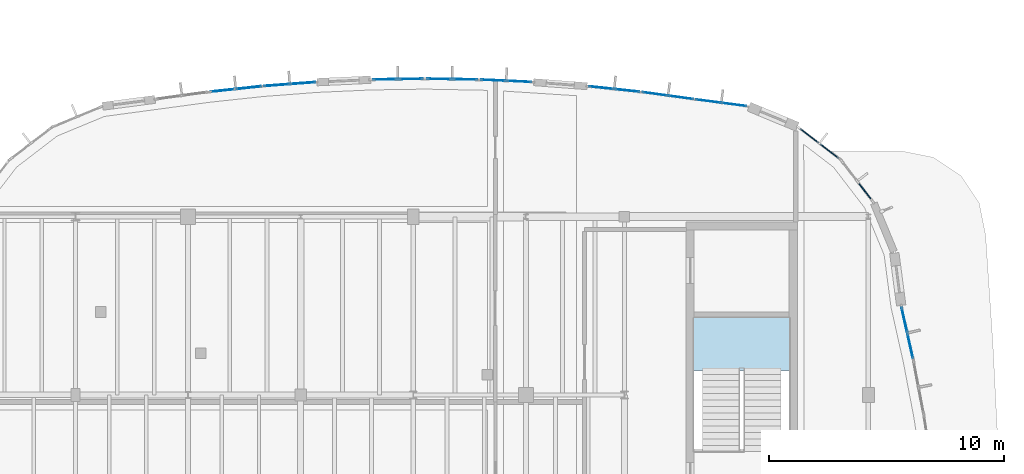
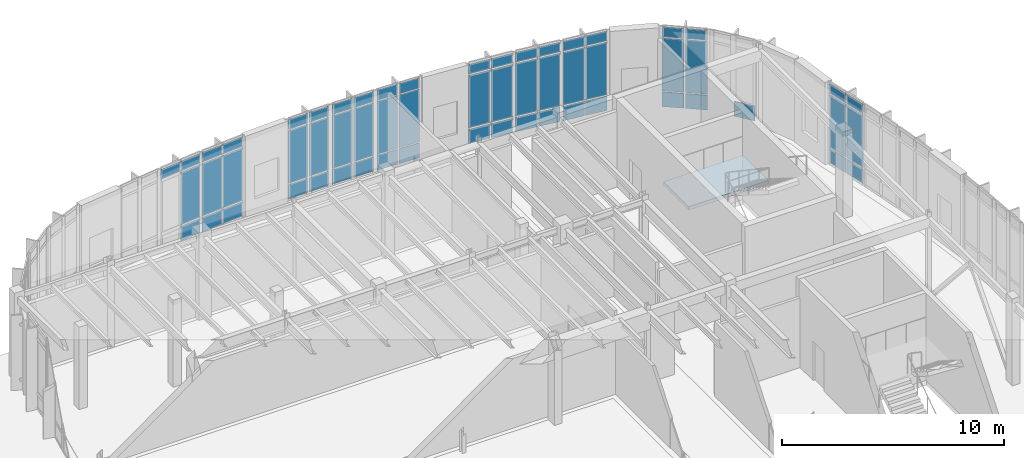
# One storey, part 85 of 120: 59 plates, 1 slab, 12 elements without a shape of their own.
"""IFC4 building model written with IfcOpenShell, lengths in metres."""

from ifc_helpers import new_model, si_unit, direction, frame, origin, origin_2d, place, context, subcontext, project, spatial, polyline, rectangle, outline, extrude, material, layer, layer_set, type_object, element, aggregate, save


model = new_model("IFC4")

# Units and contexts
model_context = context("Model", 3, precision=1e-05, world=origin(), true_north=direction((0.0, 1.0)))
body_context = subcontext(model_context, "Body", "Model", "MODEL_VIEW")
ifc_project = project(units=[si_unit("LENGTHUNIT", "METRE"), si_unit("AREAUNIT", "SQUARE_METRE"), si_unit("VOLUMEUNIT", "CUBIC_METRE"), si_unit("PLANEANGLEUNIT", "RADIAN"), si_unit("MASSUNIT", "GRAM", prefix="KILO")], contexts=[model_context])

# Site, building, storey
site_placement = place(None, origin())
site = spatial("IfcSite", under=ifc_project, at=site_placement, CompositionType="ELEMENT")
building_placement = place(site_placement, origin())
building = spatial("IfcBuilding", under=site, at=building_placement, Name="Corveleigh Park Community Centre", CompositionType="ELEMENT")
storey_placement = place(building_placement, origin())
storey = spatial("IfcBuildingStorey", under=building, at=storey_placement, Name="L00", CompositionType="ELEMENT", Elevation=0.0)

# Curtain wall, plates
ifc_material_1 = material(Name="Anodised aluminium 6063-T6", Category="aluminium")
curtain_wall_type = type_object("IfcCurtainWallType", Name="CW-SYS-V4-L00", PredefinedType="NOTDEFINED", material=ifc_material_1)
curtain_wall_1_placement = place(storey_placement, origin())
curtain_wall_1 = element("IfcCurtainWall", 1, at=curtain_wall_1_placement, inside=storey, type_object=curtain_wall_type, Name="V4 L00 Curtain Wall 133", PredefinedType="NOTDEFINED")
ifc_material_2 = material(Name="Low-E double glazing", Category="glass")
ifc_layer_1 = layer(ifc_material_2, 0.02392578125, Name="Low-E double glazing", Category="glass")
ifc_layer_set_1 = layer_set([ifc_layer_1], Name="Low-E double glazing")
plate_type_1 = type_object("IfcPlateType", Name="CWP-GLZ-24", PredefinedType="CURTAIN_PANEL", material=ifc_layer_set_1)
plate_1_placement = place(storey_placement, frame((161.58154296875, 109.123291015625, 0.070068359375), z_axis=(0.0, 0.0, 1.0), x_axis=(0.991431673383, -0.130626325881, 0.0)))
plate_1 = element("IfcPlate", 2, at=plate_1_placement, type_object=plate_type_1, Name="CW07 panel 1.1", PredefinedType="CURTAIN_PANEL", context=body_context, shape_type="SweptSolid", body=[
    extrude(rectangle(XDim=1.0390625, YDim=0.02392578125, at=origin_2d()), origin(), (0.0, 0.0, 1.0), 0.794921875),
])
plate_2_placement = place(storey_placement, frame((161.58154296875, 109.123291015625, 0.93505859375), z_axis=(0.0, 0.0, 1.0), x_axis=(0.991431673383, -0.130626325881, 0.0)))
plate_2 = element("IfcPlate", 3, at=plate_2_placement, type_object=plate_type_1, Name="CW07 panel 1.2", PredefinedType="CURTAIN_PANEL", context=body_context, shape_type="SweptSolid", body=[
    extrude(rectangle(XDim=1.0390625, YDim=0.02392578125, at=origin_2d()), origin(), (0.0, 0.0, 1.0), 2.89208984375),
])
plate_3_placement = place(storey_placement, frame((161.58154296875, 109.123291015625, 3.89697265625), z_axis=(0.0, 0.0, 1.0), x_axis=(0.991431673383, -0.130626325881, 0.0)))
plate_3 = element("IfcPlate", 4, at=plate_3_placement, type_object=plate_type_1, Name="CW07 panel 1.3", PredefinedType="CURTAIN_PANEL", context=body_context, shape_type="SweptSolid", body=[
    extrude(rectangle(XDim=1.0390625, YDim=0.02392578125, at=origin_2d()), origin(), (0.0, 0.0, 1.0), 0.544921875),
])
plate_4_placement = place(storey_placement, frame((162.67138671875, 108.979736328125, 0.070068359375), z_axis=(0.0, 0.0, 1.0), x_axis=(0.991431673383, -0.130626325881, 0.0)))
plate_4 = element("IfcPlate", 5, at=plate_4_placement, type_object=plate_type_1, Name="CW07 panel 2.1", PredefinedType="CURTAIN_PANEL", context=body_context, shape_type="SweptSolid", body=[
    extrude(rectangle(XDim=1.0390625, YDim=0.02392578125, at=origin_2d()), origin(), (0.0, 0.0, 1.0), 0.794921875),
])
plate_5_placement = place(storey_placement, frame((162.67138671875, 108.979736328125, 0.93505859375), z_axis=(0.0, 0.0, 1.0), x_axis=(0.991431673383, -0.130626325881, 0.0)))
plate_5 = element("IfcPlate", 6, at=plate_5_placement, type_object=plate_type_1, Name="CW07 panel 2.2", PredefinedType="CURTAIN_PANEL", context=body_context, shape_type="SweptSolid", body=[
    extrude(rectangle(XDim=1.0390625, YDim=0.02392578125, at=origin_2d()), origin(), (0.0, 0.0, 1.0), 2.89208984375),
])
plate_6_placement = place(storey_placement, frame((162.67138671875, 108.979736328125, 3.89697265625), z_axis=(0.0, 0.0, 1.0), x_axis=(0.991431673383, -0.130626325881, 0.0)))
plate_6 = element("IfcPlate", 7, at=plate_6_placement, type_object=plate_type_1, Name="CW07 panel 2.3", PredefinedType="CURTAIN_PANEL", context=body_context, shape_type="SweptSolid", body=[
    extrude(rectangle(XDim=1.0390625, YDim=0.02392578125, at=origin_2d()), origin(), (0.0, 0.0, 1.0), 0.544921875),
])
aggregate(curtain_wall_1, [plate_1, plate_2, plate_3, plate_4, plate_5, plate_6])

curtain_wall_2_placement = place(storey_placement, origin())
curtain_wall_2 = element("IfcCurtainWall", 8, at=curtain_wall_2_placement, inside=storey, type_object=curtain_wall_type, Name="V4 L00 Curtain Wall 134", PredefinedType="NOTDEFINED")
plate_7_placement = place(storey_placement, frame((159.305908203125, 109.43359375, 0.074951171875), z_axis=(0.0, 0.0, 1.0), x_axis=(0.990635375791, -0.136534069852, 0.0)))
plate_7 = element("IfcPlate", 9, at=plate_7_placement, type_object=plate_type_1, Name="CW07 panel 1.1", PredefinedType="CURTAIN_PANEL", context=body_context, shape_type="SweptSolid", body=[
    extrude(rectangle(XDim=1.048828125, YDim=0.02392578125, at=origin_2d()), origin(), (0.0, 0.0, 1.0), 0.78759765625),
])
plate_8_placement = place(storey_placement, frame((159.305908203125, 109.43359375, 0.9375), z_axis=(0.0, 0.0, 1.0), x_axis=(0.990635375791, -0.136534069852, 0.0)))
plate_8 = element("IfcPlate", 10, at=plate_8_placement, type_object=plate_type_1, Name="CW07 panel 1.2", PredefinedType="CURTAIN_PANEL", context=body_context, shape_type="SweptSolid", body=[
    extrude(rectangle(XDim=1.048828125, YDim=0.02392578125, at=origin_2d()), origin(), (0.0, 0.0, 1.0), 2.886962890625),
])
plate_9_placement = place(storey_placement, frame((159.305908203125, 109.43359375, 3.8994140625), z_axis=(0.0, 0.0, 1.0), x_axis=(0.990635375791, -0.136534069852, 0.0)))
plate_9 = element("IfcPlate", 11, at=plate_9_placement, type_object=plate_type_1, Name="CW07 panel 1.3", PredefinedType="CURTAIN_PANEL", context=body_context, shape_type="SweptSolid", body=[
    extrude(rectangle(XDim=1.048828125, YDim=0.02392578125, at=origin_2d()), origin(), (0.0, 0.0, 1.0), 0.53759765625),
])
plate_10_placement = place(storey_placement, frame((160.4091796875, 109.281494140625, 0.074951171875), z_axis=(0.0, 0.0, 1.0), x_axis=(0.990635375791, -0.136534069852, 0.0)))
plate_10 = element("IfcPlate", 12, at=plate_10_placement, type_object=plate_type_1, Name="CW07 panel 2.1", PredefinedType="CURTAIN_PANEL", context=body_context, shape_type="SweptSolid", body=[
    extrude(rectangle(XDim=1.048828125, YDim=0.02392578125, at=origin_2d()), origin(), (0.0, 0.0, 1.0), 0.78759765625),
])
plate_11_placement = place(storey_placement, frame((160.4091796875, 109.281494140625, 0.9375), z_axis=(0.0, 0.0, 1.0), x_axis=(0.990635375791, -0.136534069852, 0.0)))
plate_11 = element("IfcPlate", 13, at=plate_11_placement, type_object=plate_type_1, Name="CW07 panel 2.2", PredefinedType="CURTAIN_PANEL", context=body_context, shape_type="SweptSolid", body=[
    extrude(rectangle(XDim=1.048828125, YDim=0.02392578125, at=origin_2d()), origin(), (0.0, 0.0, 1.0), 2.886962890625),
])
plate_12_placement = place(storey_placement, frame((160.4091796875, 109.281494140625, 3.8994140625), z_axis=(0.0, 0.0, 1.0), x_axis=(0.990635375791, -0.136534069852, 0.0)))
plate_12 = element("IfcPlate", 14, at=plate_12_placement, type_object=plate_type_1, Name="CW07 panel 2.3", PredefinedType="CURTAIN_PANEL", context=body_context, shape_type="SweptSolid", body=[
    extrude(rectangle(XDim=1.048828125, YDim=0.02392578125, at=origin_2d()), origin(), (0.0, 0.0, 1.0), 0.53759765625),
])
aggregate(curtain_wall_2, [plate_7, plate_8, plate_9, plate_10, plate_11, plate_12])

curtain_wall_3_placement = place(storey_placement, origin())
curtain_wall_3 = element("IfcCurtainWall", 15, at=curtain_wall_3_placement, inside=storey, type_object=curtain_wall_type, Name="V4 L00 Curtain Wall 135", PredefinedType="NOTDEFINED")
ifc_layer_2 = layer(ifc_material_2, 0.028076171875, Name="Low-E double glazing", Category="glass")
ifc_layer_set_2 = layer_set([ifc_layer_2], Name="Low-E double glazing")
plate_type_2 = type_object("IfcPlateType", Name="CWP-GLZ-28", PredefinedType="CURTAIN_PANEL", material=ifc_layer_set_2)
plate_13_placement = place(storey_placement, frame((157.012939453125, 109.6962890625, 0.080078125), z_axis=(0.0, 0.0, 1.0), x_axis=(0.994358586711, -0.106070735992, 0.0)))
plate_13 = element("IfcPlate", 16, at=plate_13_placement, type_object=plate_type_2, Name="CW07 panel 1.1", PredefinedType="CURTAIN_PANEL", context=body_context, shape_type="SweptSolid", body=[
    extrude(rectangle(XDim=1.04052734375, YDim=0.028076171875, at=origin_2d()), origin(), (0.0, 0.0, 1.0), 0.780029296875),
])
plate_14_placement = place(storey_placement, frame((157.012939453125, 109.6962890625, 0.93994140625), z_axis=(0.0, 0.0, 1.0), x_axis=(0.994358586711, -0.106070735992, 0.0)))
plate_14 = element("IfcPlate", 17, at=plate_14_placement, type_object=plate_type_2, Name="CW07 panel 1.2", PredefinedType="CURTAIN_PANEL", context=body_context, shape_type="SweptSolid", body=[
    extrude(rectangle(XDim=1.04052734375, YDim=0.028076171875, at=origin_2d()), origin(), (0.0, 0.0, 1.0), 2.882080078125),
])
plate_15_placement = place(storey_placement, frame((157.012939453125, 109.6962890625, 3.90185546875), z_axis=(0.0, 0.0, 1.0), x_axis=(0.994358586711, -0.106070735992, 0.0)))
plate_15 = element("IfcPlate", 18, at=plate_15_placement, type_object=plate_type_2, Name="CW07 panel 1.3", PredefinedType="CURTAIN_PANEL", context=body_context, shape_type="SweptSolid", body=[
    extrude(rectangle(XDim=1.04052734375, YDim=0.028076171875, at=origin_2d()), origin(), (0.0, 0.0, 1.0), 0.530029296875),
])
plate_16_placement = place(storey_placement, frame((158.1171875, 109.57861328125, 0.080078125), z_axis=(0.0, 0.0, 1.0), x_axis=(0.994358586711, -0.106070735992, 0.0)))
plate_16 = element("IfcPlate", 19, at=plate_16_placement, type_object=plate_type_2, Name="CW07 panel 2.1", PredefinedType="CURTAIN_PANEL", context=body_context, shape_type="SweptSolid", body=[
    extrude(rectangle(XDim=1.04052734375, YDim=0.028076171875, at=origin_2d()), origin(), (0.0, 0.0, 1.0), 0.780029296875),
])
plate_17_placement = place(storey_placement, frame((158.1171875, 109.57861328125, 0.93994140625), z_axis=(0.0, 0.0, 1.0), x_axis=(0.994358586711, -0.106070735992, 0.0)))
plate_17 = element("IfcPlate", 20, at=plate_17_placement, type_object=plate_type_2, Name="CW07 panel 2.2", PredefinedType="CURTAIN_PANEL", context=body_context, shape_type="SweptSolid", body=[
    extrude(rectangle(XDim=1.04052734375, YDim=0.028076171875, at=origin_2d()), origin(), (0.0, 0.0, 1.0), 2.882080078125),
])
plate_18_placement = place(storey_placement, frame((158.1171875, 109.57861328125, 3.90185546875), z_axis=(0.0, 0.0, 1.0), x_axis=(0.994358586711, -0.106070735992, 0.0)))
plate_18 = element("IfcPlate", 21, at=plate_18_placement, type_object=plate_type_2, Name="CW07 panel 2.3", PredefinedType="CURTAIN_PANEL", context=body_context, shape_type="SweptSolid", body=[
    extrude(rectangle(XDim=1.04052734375, YDim=0.028076171875, at=origin_2d()), origin(), (0.0, 0.0, 1.0), 0.530029296875),
])
aggregate(curtain_wall_3, [plate_13, plate_14, plate_15, plate_16, plate_17, plate_18])

curtain_wall_4_placement = place(storey_placement, origin())
curtain_wall_4 = element("IfcCurtainWall", 22, at=curtain_wall_4_placement, inside=storey, type_object=curtain_wall_type, Name="V4 L00 Curtain Wall 136", PredefinedType="NOTDEFINED")
plate_19_placement = place(storey_placement, frame((152.40869140625, 110.012939453125, 0.06005859375), z_axis=(0.0, 0.0, 1.0), x_axis=(0.998948640502, -0.045843359805, 0.0)))
plate_19 = element("IfcPlate", 23, at=plate_19_placement, type_object=plate_type_2, Name="CW07 panel 1.1", PredefinedType="CURTAIN_PANEL", context=body_context, shape_type="SweptSolid", body=[
    extrude(rectangle(XDim=1.03271484375, YDim=0.028076171875, at=origin_2d()), origin(), (0.0, 0.0, 1.0), 0.81005859375),
])
plate_20_placement = place(storey_placement, frame((152.40869140625, 110.012939453125, 0.93017578125), z_axis=(0.0, 0.0, 1.0), x_axis=(0.998948640502, -0.045843359805, 0.0)))
plate_20 = element("IfcPlate", 24, at=plate_20_placement, type_object=plate_type_2, Name="CW07 panel 1.2", PredefinedType="CURTAIN_PANEL", context=body_context, shape_type="SweptSolid", body=[
    extrude(rectangle(XDim=1.03271484375, YDim=0.028076171875, at=origin_2d()), origin(), (0.0, 0.0, 1.0), 2.902099609375),
])
plate_21_placement = place(storey_placement, frame((152.40869140625, 110.012939453125, 3.89208984375), z_axis=(0.0, 0.0, 1.0), x_axis=(0.998948640502, -0.045843359805, 0.0)))
plate_21 = element("IfcPlate", 25, at=plate_21_placement, type_object=plate_type_2, Name="CW07 panel 1.3", PredefinedType="CURTAIN_PANEL", context=body_context, shape_type="SweptSolid", body=[
    extrude(rectangle(XDim=1.03271484375, YDim=0.028076171875, at=origin_2d()), origin(), (0.0, 0.0, 1.0), 0.56005859375),
])
plate_22_placement = place(storey_placement, frame((153.515380859375, 109.962158203125, 0.06005859375), z_axis=(0.0, 0.0, 1.0), x_axis=(0.998948640502, -0.045843359805, 0.0)))
plate_22 = element("IfcPlate", 26, at=plate_22_placement, type_object=plate_type_2, Name="CW07 panel 2.1", PredefinedType="CURTAIN_PANEL", context=body_context, shape_type="SweptSolid", body=[
    extrude(rectangle(XDim=1.03271484375, YDim=0.028076171875, at=origin_2d()), origin(), (0.0, 0.0, 1.0), 0.81005859375),
])
plate_23_placement = place(storey_placement, frame((153.515380859375, 109.962158203125, 0.93017578125), z_axis=(0.0, 0.0, 1.0), x_axis=(0.998948640502, -0.045843359805, 0.0)))
plate_23 = element("IfcPlate", 27, at=plate_23_placement, type_object=plate_type_2, Name="CW07 panel 2.2", PredefinedType="CURTAIN_PANEL", context=body_context, shape_type="SweptSolid", body=[
    extrude(rectangle(XDim=1.03271484375, YDim=0.028076171875, at=origin_2d()), origin(), (0.0, 0.0, 1.0), 2.902099609375),
])
plate_24_placement = place(storey_placement, frame((153.515380859375, 109.962158203125, 3.89208984375), z_axis=(0.0, 0.0, 1.0), x_axis=(0.998948640502, -0.045843359805, 0.0)))
plate_24 = element("IfcPlate", 28, at=plate_24_placement, type_object=plate_type_2, Name="CW07 panel 2.3", PredefinedType="CURTAIN_PANEL", context=body_context, shape_type="SweptSolid", body=[
    extrude(rectangle(XDim=1.03271484375, YDim=0.028076171875, at=origin_2d()), origin(), (0.0, 0.0, 1.0), 0.56005859375),
])
aggregate(curtain_wall_4, [plate_19, plate_20, plate_21, plate_22, plate_23, plate_24])

curtain_wall_5_placement = place(storey_placement, origin())
curtain_wall_5 = element("IfcCurtainWall", 29, at=curtain_wall_5_placement, inside=storey, type_object=curtain_wall_type, Name="V4 L00 Curtain Wall 137", PredefinedType="NOTDEFINED")
ifc_layer_3 = layer(ifc_material_2, 0.031982421875, Name="Low-E double glazing", Category="glass")
ifc_layer_set_3 = layer_set([ifc_layer_3], Name="Low-E double glazing")
plate_type_3 = type_object("IfcPlateType", Name="CWP-GLZ-32", PredefinedType="CURTAIN_PANEL", material=ifc_layer_set_3)
plate_25_placement = place(storey_placement, frame((150.101806640625, 110.066650390625, 0.06494140625), z_axis=(0.0, 0.0, 1.0), x_axis=(0.999876563269, -0.01571172252, 0.0)))
plate_25 = element("IfcPlate", 30, at=plate_25_placement, type_object=plate_type_3, Name="CW07 panel 1.1", PredefinedType="CURTAIN_PANEL", context=body_context, shape_type="SweptSolid", body=[
    extrude(rectangle(XDim=1.025634765625, YDim=0.031982421875, at=origin_2d()), origin(), (0.0, 0.0, 1.0), 0.802490234375),
])
plate_26_placement = place(storey_placement, frame((150.101806640625, 110.066650390625, 0.9326171875), z_axis=(0.0, 0.0, 1.0), x_axis=(0.999876563269, -0.01571172252, 0.0)))
plate_26 = element("IfcPlate", 31, at=plate_26_placement, type_object=plate_type_3, Name="CW07 panel 1.2", PredefinedType="CURTAIN_PANEL", context=body_context, shape_type="SweptSolid", body=[
    extrude(rectangle(XDim=1.025634765625, YDim=0.031982421875, at=origin_2d()), origin(), (0.0, 0.0, 1.0), 2.89697265625),
])
plate_27_placement = place(storey_placement, frame((150.101806640625, 110.066650390625, 3.89453125), z_axis=(0.0, 0.0, 1.0), x_axis=(0.999876563269, -0.01571172252, 0.0)))
plate_27 = element("IfcPlate", 32, at=plate_27_placement, type_object=plate_type_3, Name="CW07 panel 1.3", PredefinedType="CURTAIN_PANEL", context=body_context, shape_type="SweptSolid", body=[
    extrude(rectangle(XDim=1.025634765625, YDim=0.031982421875, at=origin_2d()), origin(), (0.0, 0.0, 1.0), 0.552490234375),
])
plate_28_placement = place(storey_placement, frame((151.207275390625, 110.04931640625, 0.06494140625), z_axis=(0.0, 0.0, 1.0), x_axis=(0.999876563269, -0.01571172252, 0.0)))
plate_28 = element("IfcPlate", 33, at=plate_28_placement, type_object=plate_type_3, Name="CW07 panel 2.1", PredefinedType="CURTAIN_PANEL", context=body_context, shape_type="SweptSolid", body=[
    extrude(rectangle(XDim=1.025634765625, YDim=0.031982421875, at=origin_2d()), origin(), (0.0, 0.0, 1.0), 0.802490234375),
])
plate_29_placement = place(storey_placement, frame((151.207275390625, 110.04931640625, 0.9326171875), z_axis=(0.0, 0.0, 1.0), x_axis=(0.999876563269, -0.01571172252, 0.0)))
plate_29 = element("IfcPlate", 34, at=plate_29_placement, type_object=plate_type_3, Name="CW07 panel 2.2", PredefinedType="CURTAIN_PANEL", context=body_context, shape_type="SweptSolid", body=[
    extrude(rectangle(XDim=1.025634765625, YDim=0.031982421875, at=origin_2d()), origin(), (0.0, 0.0, 1.0), 2.89697265625),
])
plate_30_placement = place(storey_placement, frame((151.207275390625, 110.04931640625, 3.89453125), z_axis=(0.0, 0.0, 1.0), x_axis=(0.999876563269, -0.01571172252, 0.0)))
plate_30 = element("IfcPlate", 35, at=plate_30_placement, type_object=plate_type_3, Name="CW07 panel 2.3", PredefinedType="CURTAIN_PANEL", context=body_context, shape_type="SweptSolid", body=[
    extrude(rectangle(XDim=1.025634765625, YDim=0.031982421875, at=origin_2d()), origin(), (0.0, 0.0, 1.0), 0.552490234375),
])
aggregate(curtain_wall_5, [plate_25, plate_26, plate_27, plate_28, plate_29, plate_30])

curtain_wall_6_placement = place(storey_placement, origin())
curtain_wall_6 = element("IfcCurtainWall", 36, at=curtain_wall_6_placement, inside=storey, type_object=curtain_wall_type, Name="V4 L00 Curtain Wall 138", PredefinedType="NOTDEFINED")
plate_31_placement = place(storey_placement, frame((147.7939453125, 110.04931640625, 0.070068359375), z_axis=(0.0, 0.0, 1.0), x_axis=(0.999876563269, 0.01571172252, 0.0)))
plate_31 = element("IfcPlate", 37, at=plate_31_placement, type_object=plate_type_3, Name="CW07 panel 1.1", PredefinedType="CURTAIN_PANEL", context=body_context, shape_type="SweptSolid", body=[
    extrude(rectangle(XDim=1.01806640625, YDim=0.031982421875, at=origin_2d()), origin(), (0.0, 0.0, 1.0), 0.794921875),
])
plate_32_placement = place(storey_placement, frame((147.7939453125, 110.04931640625, 0.93505859375), z_axis=(0.0, 0.0, 1.0), x_axis=(0.999876563269, 0.01571172252, 0.0)))
plate_32 = element("IfcPlate", 38, at=plate_32_placement, type_object=plate_type_3, Name="CW07 panel 1.2", PredefinedType="CURTAIN_PANEL", context=body_context, shape_type="SweptSolid", body=[
    extrude(rectangle(XDim=1.01806640625, YDim=0.031982421875, at=origin_2d()), origin(), (0.0, 0.0, 1.0), 2.89208984375),
])
plate_33_placement = place(storey_placement, frame((147.7939453125, 110.04931640625, 3.89697265625), z_axis=(0.0, 0.0, 1.0), x_axis=(0.999876563269, 0.01571172252, 0.0)))
plate_33 = element("IfcPlate", 39, at=plate_33_placement, type_object=plate_type_3, Name="CW07 panel 1.3", PredefinedType="CURTAIN_PANEL", context=body_context, shape_type="SweptSolid", body=[
    extrude(rectangle(XDim=1.01806640625, YDim=0.031982421875, at=origin_2d()), origin(), (0.0, 0.0, 1.0), 0.544921875),
])
plate_34_placement = place(storey_placement, frame((148.89697265625, 110.066650390625, 0.070068359375), z_axis=(0.0, 0.0, 1.0), x_axis=(0.999876563269, 0.01571172252, 0.0)))
plate_34 = element("IfcPlate", 40, at=plate_34_placement, type_object=plate_type_3, Name="CW07 panel 2.1", PredefinedType="CURTAIN_PANEL", context=body_context, shape_type="SweptSolid", body=[
    extrude(rectangle(XDim=1.01806640625, YDim=0.031982421875, at=origin_2d()), origin(), (0.0, 0.0, 1.0), 0.794921875),
])
plate_35_placement = place(storey_placement, frame((148.89697265625, 110.066650390625, 0.93505859375), z_axis=(0.0, 0.0, 1.0), x_axis=(0.999876563269, 0.01571172252, 0.0)))
plate_35 = element("IfcPlate", 41, at=plate_35_placement, type_object=plate_type_3, Name="CW07 panel 2.2", PredefinedType="CURTAIN_PANEL", context=body_context, shape_type="SweptSolid", body=[
    extrude(rectangle(XDim=1.01806640625, YDim=0.031982421875, at=origin_2d()), origin(), (0.0, 0.0, 1.0), 2.89208984375),
])
plate_36_placement = place(storey_placement, frame((148.89697265625, 110.066650390625, 3.89697265625), z_axis=(0.0, 0.0, 1.0), x_axis=(0.999876563269, 0.01571172252, 0.0)))
plate_36 = element("IfcPlate", 42, at=plate_36_placement, type_object=plate_type_3, Name="CW07 panel 2.3", PredefinedType="CURTAIN_PANEL", context=body_context, shape_type="SweptSolid", body=[
    extrude(rectangle(XDim=1.01806640625, YDim=0.031982421875, at=origin_2d()), origin(), (0.0, 0.0, 1.0), 0.544921875),
])
aggregate(curtain_wall_6, [plate_31, plate_32, plate_33, plate_34, plate_35, plate_36])

curtain_wall_7_placement = place(storey_placement, origin())
curtain_wall_7 = element("IfcCurtainWall", 43, at=curtain_wall_7_placement, inside=storey, type_object=curtain_wall_type, Name="V4 L00 Curtain Wall 139", PredefinedType="NOTDEFINED")
ifc_layer_4 = layer(ifc_material_2, 0.035888671875, Name="Low-E double glazing", Category="glass")
ifc_layer_set_4 = layer_set([ifc_layer_4], Name="Low-E double glazing")
plate_type_4 = type_object("IfcPlateType", Name="CWP-GLZ-36", PredefinedType="CURTAIN_PANEL", material=ifc_layer_set_4)
plate_37_placement = place(storey_placement, frame((143.177978515625, 109.805419921875, 0.074951171875), z_axis=(0.0, 0.0, 1.0), x_axis=(0.997143684467, 0.075527958586, 0.0)))
plate_37 = element("IfcPlate", 44, at=plate_37_placement, type_object=plate_type_4, Name="CW07 panel 1.1", PredefinedType="CURTAIN_PANEL", context=body_context, shape_type="SweptSolid", body=[
    extrude(rectangle(XDim=1.05517578125, YDim=0.035888671875, at=origin_2d()), origin(), (0.0, 0.0, 1.0), 0.78759765625),
])
plate_38_placement = place(storey_placement, frame((143.177978515625, 109.805419921875, 0.9375), z_axis=(0.0, 0.0, 1.0), x_axis=(0.997143684467, 0.075527958586, 0.0)))
plate_38 = element("IfcPlate", 45, at=plate_38_placement, type_object=plate_type_4, Name="CW07 panel 1.2", PredefinedType="CURTAIN_PANEL", context=body_context, shape_type="SweptSolid", body=[
    extrude(rectangle(XDim=1.05517578125, YDim=0.035888671875, at=origin_2d()), origin(), (0.0, 0.0, 1.0), 2.886962890625),
])
plate_39_placement = place(storey_placement, frame((143.177978515625, 109.805419921875, 3.8994140625), z_axis=(0.0, 0.0, 1.0), x_axis=(0.997143684467, 0.075527958586, 0.0)))
plate_39 = element("IfcPlate", 46, at=plate_39_placement, type_object=plate_type_4, Name="CW07 panel 1.3", PredefinedType="CURTAIN_PANEL", context=body_context, shape_type="SweptSolid", body=[
    extrude(rectangle(XDim=1.05517578125, YDim=0.035888671875, at=origin_2d()), origin(), (0.0, 0.0, 1.0), 0.53759765625),
])
plate_40_placement = place(storey_placement, frame((144.2900390625, 109.8896484375, 0.074951171875), z_axis=(0.0, 0.0, 1.0), x_axis=(0.997143684467, 0.075527958586, 0.0)))
plate_40 = element("IfcPlate", 47, at=plate_40_placement, type_object=plate_type_4, Name="CW07 panel 2.1", PredefinedType="CURTAIN_PANEL", context=body_context, shape_type="SweptSolid", body=[
    extrude(rectangle(XDim=1.05517578125, YDim=0.035888671875, at=origin_2d()), origin(), (0.0, 0.0, 1.0), 0.78759765625),
])
plate_41_placement = place(storey_placement, frame((144.2900390625, 109.8896484375, 0.9375), z_axis=(0.0, 0.0, 1.0), x_axis=(0.997143684467, 0.075527958586, 0.0)))
plate_41 = element("IfcPlate", 48, at=plate_41_placement, type_object=plate_type_4, Name="CW07 panel 2.2", PredefinedType="CURTAIN_PANEL", context=body_context, shape_type="SweptSolid", body=[
    extrude(rectangle(XDim=1.05517578125, YDim=0.035888671875, at=origin_2d()), origin(), (0.0, 0.0, 1.0), 2.886962890625),
])
plate_42_placement = place(storey_placement, frame((144.2900390625, 109.8896484375, 3.8994140625), z_axis=(0.0, 0.0, 1.0), x_axis=(0.997143684467, 0.075527958586, 0.0)))
plate_42 = element("IfcPlate", 49, at=plate_42_placement, type_object=plate_type_4, Name="CW07 panel 2.3", PredefinedType="CURTAIN_PANEL", context=body_context, shape_type="SweptSolid", body=[
    extrude(rectangle(XDim=1.05517578125, YDim=0.035888671875, at=origin_2d()), origin(), (0.0, 0.0, 1.0), 0.53759765625),
])
aggregate(curtain_wall_7, [plate_37, plate_38, plate_39, plate_40, plate_41, plate_42])

curtain_wall_8_placement = place(storey_placement, origin())
curtain_wall_8 = element("IfcCurtainWall", 50, at=curtain_wall_8_placement, inside=storey, type_object=curtain_wall_type, Name="V4 L00 Curtain Wall 140", PredefinedType="NOTDEFINED")
plate_43_placement = place(storey_placement, frame((140.881591796875, 109.578369140625, 3.90185546875), z_axis=(0.0, 0.0, 1.0), x_axis=(0.994358586711, 0.106070735992, 0.0)))
plate_43 = element("IfcPlate", 51, at=plate_43_placement, type_object=plate_type_4, Name="CW07 panel 1.3", PredefinedType="CURTAIN_PANEL", context=body_context, shape_type="SweptSolid", body=[
    extrude(rectangle(XDim=1.0478515625, YDim=0.035888671875, at=origin_2d()), origin(), (0.0, 0.0, 1.0), 0.530029296875),
])
plate_44_placement = place(storey_placement, frame((141.98828125, 109.696533203125, 0.080078125), z_axis=(0.0, 0.0, 1.0), x_axis=(0.994358586711, 0.106070735992, 0.0)))
plate_44 = element("IfcPlate", 52, at=plate_44_placement, type_object=plate_type_4, Name="CW07 panel 2.1", PredefinedType="CURTAIN_PANEL", context=body_context, shape_type="SweptSolid", body=[
    extrude(rectangle(XDim=1.0478515625, YDim=0.035888671875, at=origin_2d()), origin(), (0.0, 0.0, 1.0), 0.780029296875),
])
plate_45_placement = place(storey_placement, frame((141.98828125, 109.696533203125, 0.93994140625), z_axis=(0.0, 0.0, 1.0), x_axis=(0.994358586711, 0.106070735992, 0.0)))
plate_45 = element("IfcPlate", 53, at=plate_45_placement, type_object=plate_type_4, Name="CW07 panel 2.2", PredefinedType="CURTAIN_PANEL", context=body_context, shape_type="SweptSolid", body=[
    extrude(rectangle(XDim=1.0478515625, YDim=0.035888671875, at=origin_2d()), origin(), (0.0, 0.0, 1.0), 2.882080078125),
])
plate_46_placement = place(storey_placement, frame((141.98828125, 109.696533203125, 3.90185546875), z_axis=(0.0, 0.0, 1.0), x_axis=(0.994358586711, 0.106070735992, 0.0)))
plate_46 = element("IfcPlate", 54, at=plate_46_placement, type_object=plate_type_4, Name="CW07 panel 2.3", PredefinedType="CURTAIN_PANEL", context=body_context, shape_type="SweptSolid", body=[
    extrude(rectangle(XDim=1.0478515625, YDim=0.035888671875, at=origin_2d()), origin(), (0.0, 0.0, 1.0), 0.530029296875),
])
aggregate(curtain_wall_8, [plate_43, plate_44, plate_45, plate_46])

curtain_wall_9_placement = place(storey_placement, origin())
curtain_wall_9 = element("IfcCurtainWall", 55, at=curtain_wall_9_placement, inside=storey, type_object=curtain_wall_type, Name="V4 L00 Curtain Wall 130", PredefinedType="NOTDEFINED")
ifc_layer_5 = layer(ifc_material_2, 0.0400390625, Name="Low-E double glazing", Category="glass")
ifc_layer_set_5 = layer_set([ifc_layer_5], Name="Low-E double glazing")
plate_type_5 = type_object("IfcPlateType", Name="CWP-GLZ-40", PredefinedType="CURTAIN_PANEL", material=ifc_layer_set_5)
plate_47_placement = place(storey_placement, frame((169.935302734375, 99.794921875, 0.080078125), z_axis=(0.0, 0.0, 1.0), x_axis=(0.218872550452, -0.975753455878, 0.0)))
plate_47 = element("IfcPlate", 56, at=plate_47_placement, type_object=plate_type_5, Name="CW07 panel 1.1", PredefinedType="CURTAIN_PANEL", context=body_context, shape_type="SweptSolid", body=[
    extrude(rectangle(XDim=1.059326171875, YDim=0.0400390625, at=origin_2d()), origin(), (0.0, 0.0, 1.0), 0.780029296875),
])
plate_48_placement = place(storey_placement, frame((169.935302734375, 99.794921875, 0.93994140625), z_axis=(0.0, 0.0, 1.0), x_axis=(0.218872550452, -0.975753455878, 0.0)))
plate_48 = element("IfcPlate", 57, at=plate_48_placement, type_object=plate_type_5, Name="CW07 panel 1.2", PredefinedType="CURTAIN_PANEL", context=body_context, shape_type="SweptSolid", body=[
    extrude(rectangle(XDim=1.059326171875, YDim=0.0400390625, at=origin_2d()), origin(), (0.0, 0.0, 1.0), 2.882080078125),
])
plate_49_placement = place(storey_placement, frame((169.935302734375, 99.794921875, 3.90185546875), z_axis=(0.0, 0.0, 1.0), x_axis=(0.218872550452, -0.975753455878, 0.0)))
plate_49 = element("IfcPlate", 58, at=plate_49_placement, type_object=plate_type_5, Name="CW07 panel 1.3", PredefinedType="CURTAIN_PANEL", context=body_context, shape_type="SweptSolid", body=[
    extrude(rectangle(XDim=1.059326171875, YDim=0.0400390625, at=origin_2d()), origin(), (0.0, 0.0, 1.0), 0.530029296875),
])
plate_50_placement = place(storey_placement, frame((170.18359375, 98.68798828125, 0.080078125), z_axis=(0.0, 0.0, 1.0), x_axis=(0.218872550452, -0.975753455878, 0.0)))
plate_50 = element("IfcPlate", 59, at=plate_50_placement, type_object=plate_type_5, Name="CW07 panel 2.1", PredefinedType="CURTAIN_PANEL", context=body_context, shape_type="SweptSolid", body=[
    extrude(rectangle(XDim=1.059326171875, YDim=0.0400390625, at=origin_2d()), origin(), (0.0, 0.0, 1.0), 0.780029296875),
])
plate_51_placement = place(storey_placement, frame((170.18359375, 98.68798828125, 0.93994140625), z_axis=(0.0, 0.0, 1.0), x_axis=(0.218872550452, -0.975753455878, 0.0)))
plate_51 = element("IfcPlate", 60, at=plate_51_placement, type_object=plate_type_5, Name="CW07 panel 2.2", PredefinedType="CURTAIN_PANEL", context=body_context, shape_type="SweptSolid", body=[
    extrude(rectangle(XDim=1.059326171875, YDim=0.0400390625, at=origin_2d()), origin(), (0.0, 0.0, 1.0), 2.882080078125),
])
plate_52_placement = place(storey_placement, frame((170.18359375, 98.68798828125, 3.90185546875), z_axis=(0.0, 0.0, 1.0), x_axis=(0.218872550452, -0.975753455878, 0.0)))
plate_52 = element("IfcPlate", 61, at=plate_52_placement, type_object=plate_type_5, Name="CW07 panel 2.3", PredefinedType="CURTAIN_PANEL", context=body_context, shape_type="SweptSolid", body=[
    extrude(rectangle(XDim=1.059326171875, YDim=0.0400390625, at=origin_2d()), origin(), (0.0, 0.0, 1.0), 0.530029296875),
])
aggregate(curtain_wall_9, [plate_47, plate_48, plate_49, plate_50, plate_51, plate_52])

# Curtain wall, plate
curtain_wall_10_placement = place(storey_placement, origin())
curtain_wall_10 = element("IfcCurtainWall", 62, at=curtain_wall_10_placement, inside=storey, type_object=curtain_wall_type, Name="V4 L00 Curtain Wall 131", PredefinedType="NOTDEFINED")
ifc_layer_6 = layer(ifc_material_2, 0.0439453125, Name="Low-E double glazing", Category="glass")
ifc_layer_set_6 = layer_set([ifc_layer_6], Name="Low-E double glazing")
plate_type_6 = type_object("IfcPlateType", Name="CWP-GLZ-44", PredefinedType="CURTAIN_PANEL", material=ifc_layer_set_6)
plate_53_placement = place(storey_placement, frame((168.249755859375, 105.2841796875, 0.06005859375), z_axis=(0.0, 0.0, 1.0), x_axis=(0.608628822511, -0.79345507523, 0.0)))
plate_53 = element("IfcPlate", 63, at=plate_53_placement, type_object=plate_type_6, Name="CW07 panel 2.1", PredefinedType="CURTAIN_PANEL", context=body_context, shape_type="SweptSolid", body=[
    extrude(rectangle(XDim=0.997314453125, YDim=0.0439453125, at=origin_2d()), origin(), (0.0, 0.0, 1.0), 0.81005859375),
])
aggregate(curtain_wall_10, [plate_53])

# Curtain wall, plates
curtain_wall_11_placement = place(storey_placement, origin())
curtain_wall_11 = element("IfcCurtainWall", 64, at=curtain_wall_11_placement, inside=storey, type_object=curtain_wall_type, Name="V4 L00 Curtain Wall 132", PredefinedType="NOTDEFINED")
plate_54_placement = place(storey_placement, frame((165.885009765625, 107.649169921875, 0.06494140625), z_axis=(0.0, 0.0, 1.0), x_axis=(0.79345507523, -0.608628822511, 0.0)))
plate_54 = element("IfcPlate", 65, at=plate_54_placement, type_object=plate_type_6, Name="CW07 panel 1.1", PredefinedType="CURTAIN_PANEL", context=body_context, shape_type="SweptSolid", body=[
    extrude(rectangle(XDim=0.98974609375, YDim=0.0439453125, at=origin_2d()), origin(), (0.0, 0.0, 1.0), 0.802490234375),
])
plate_55_placement = place(storey_placement, frame((165.885009765625, 107.649169921875, 0.9326171875), z_axis=(0.0, 0.0, 1.0), x_axis=(0.79345507523, -0.608628822511, 0.0)))
plate_55 = element("IfcPlate", 66, at=plate_55_placement, type_object=plate_type_6, Name="CW07 panel 1.2", PredefinedType="CURTAIN_PANEL", context=body_context, shape_type="SweptSolid", body=[
    extrude(rectangle(XDim=0.98974609375, YDim=0.0439453125, at=origin_2d()), origin(), (0.0, 0.0, 1.0), 2.89697265625),
])
plate_56_placement = place(storey_placement, frame((165.885009765625, 107.649169921875, 3.89453125), z_axis=(0.0, 0.0, 1.0), x_axis=(0.79345507523, -0.608628822511, 0.0)))
plate_56 = element("IfcPlate", 67, at=plate_56_placement, type_object=plate_type_6, Name="CW07 panel 1.3", PredefinedType="CURTAIN_PANEL", context=body_context, shape_type="SweptSolid", body=[
    extrude(rectangle(XDim=0.98974609375, YDim=0.0439453125, at=origin_2d()), origin(), (0.0, 0.0, 1.0), 0.552490234375),
])
plate_57_placement = place(storey_placement, frame((166.73779296875, 106.994873046875, 0.06494140625), z_axis=(0.0, 0.0, 1.0), x_axis=(0.79345507523, -0.608628822511, 0.0)))
plate_57 = element("IfcPlate", 68, at=plate_57_placement, type_object=plate_type_6, Name="CW07 panel 2.1", PredefinedType="CURTAIN_PANEL", context=body_context, shape_type="SweptSolid", body=[
    extrude(rectangle(XDim=0.98974609375, YDim=0.0439453125, at=origin_2d()), origin(), (0.0, 0.0, 1.0), 0.802490234375),
])
plate_58_placement = place(storey_placement, frame((166.73779296875, 106.994873046875, 0.9326171875), z_axis=(0.0, 0.0, 1.0), x_axis=(0.79345507523, -0.608628822511, 0.0)))
plate_58 = element("IfcPlate", 69, at=plate_58_placement, type_object=plate_type_6, Name="CW07 panel 2.2", PredefinedType="CURTAIN_PANEL", context=body_context, shape_type="SweptSolid", body=[
    extrude(rectangle(XDim=0.98974609375, YDim=0.0439453125, at=origin_2d()), origin(), (0.0, 0.0, 1.0), 2.89697265625),
])
plate_59_placement = place(storey_placement, frame((166.73779296875, 106.994873046875, 3.89453125), z_axis=(0.0, 0.0, 1.0), x_axis=(0.79345507523, -0.608628822511, 0.0)))
plate_59 = element("IfcPlate", 70, at=plate_59_placement, type_object=plate_type_6, Name="CW07 panel 2.3", PredefinedType="CURTAIN_PANEL", context=body_context, shape_type="SweptSolid", body=[
    extrude(rectangle(XDim=0.98974609375, YDim=0.0439453125, at=origin_2d()), origin(), (0.0, 0.0, 1.0), 0.552490234375),
])
aggregate(curtain_wall_11, [plate_54, plate_55, plate_56, plate_57, plate_58, plate_59])

# Stair, slab
ifc_material_3 = material(Name="Concrete C32/40", Category="concrete")
stair_type = type_object("IfcStairType", Name="STR-HT-1600-480", PredefinedType="USERDEFINED", material=ifc_material_3)
stair_placement = place(storey_placement, origin())
stair = element("IfcStair", 71, at=stair_placement, inside=storey, type_object=stair_type, Name="Protected escape stair ST2 (L00 to L01)", ObjectType="TWO_RETURN_STAIR", PredefinedType="USERDEFINED")
ifc_layer_7 = layer(ifc_material_3, 0.18798828125, Name="Concrete C32/40", Category="concrete")
ifc_layer_set_7 = layer_set([ifc_layer_7], Name="Concrete C32/40")
slab_type = type_object("IfcSlabType", Name="SLB-LND-188", PredefinedType="LANDING", material=ifc_layer_set_7)
slab_placement = place(storey_placement, frame((0.0, 0.0, 2.2119140625)))
slab = element("IfcSlab", 72, at=slab_placement, type_object=slab_type, Name="ST2 half landing", PredefinedType="LANDING", context=body_context, shape_type="SweptSolid", body=[
    extrude(outline(polyline([(160.927001953125, 97.635009765625), (165.072998046875, 97.635009765625), (165.072998046875, 99.923095703125), (160.927001953125, 99.923095703125), (160.927001953125, 97.635009765625)])), origin(), (0.0, 0.0, 1.0), 0.18798828125),
])
aggregate(stair, [slab])

save(model, "model.ifc")
